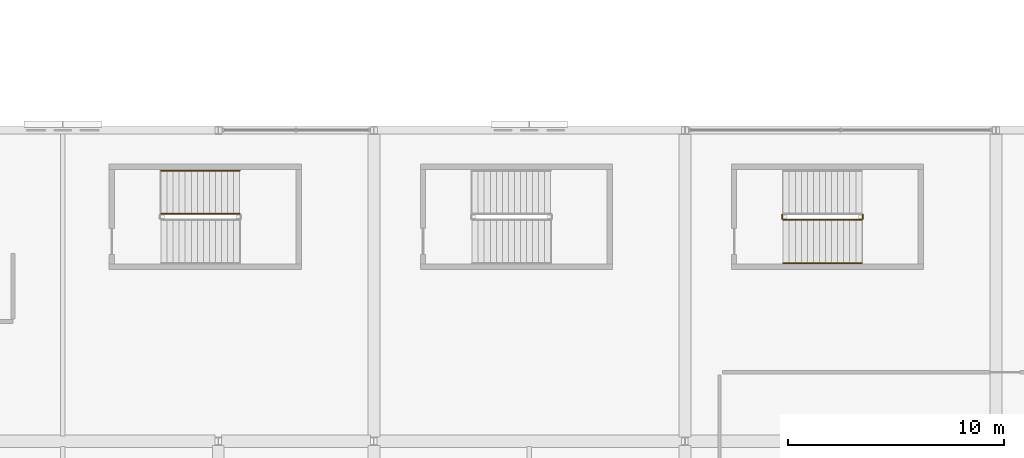
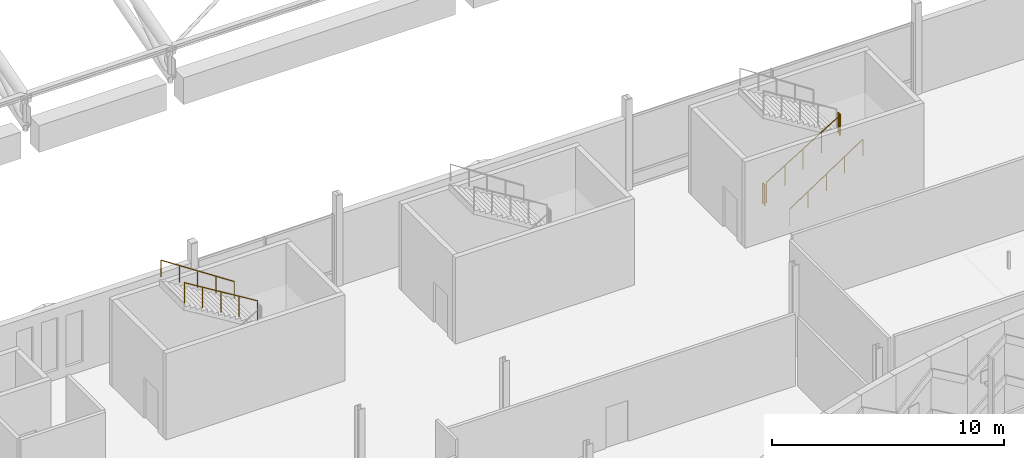
# One storey, part 178 of 193: 6 railings.
"""IFC4 building model written with IfcOpenShell, lengths in metres."""

from ifc_helpers import new_model, si_unit, direction, frame, origin, origin_2d, place, context, subcontext, project, spatial, circle, extrude, material, type_object, element, save


model = new_model("IFC4")

# Units and contexts
model_context = context("Model", 3, precision=1e-05, world=origin(), true_north=direction((0.0, 1.0)))
body_context = subcontext(model_context, "Body", "Model", "MODEL_VIEW")
ifc_project = project(units=[si_unit("LENGTHUNIT", "METRE"), si_unit("AREAUNIT", "SQUARE_METRE"), si_unit("VOLUMEUNIT", "CUBIC_METRE"), si_unit("PLANEANGLEUNIT", "RADIAN"), si_unit("MASSUNIT", "GRAM", prefix="KILO")], contexts=[model_context])

# Site, building, storey
site_placement = place(None, origin())
site = spatial("IfcSite", under=ifc_project, at=site_placement, CompositionType="ELEMENT")
building_placement = place(site_placement, origin())
building = spatial("IfcBuilding", under=site, at=building_placement, Name="Cendralis Lancet Convention Centre", CompositionType="ELEMENT")
storey_placement = place(building_placement, frame((0.0, 0.0, 10.199951171875)))
storey = spatial("IfcBuildingStorey", under=building, at=storey_placement, Name="L02", CompositionType="ELEMENT", Elevation=10.199951171875)

# Railings
ifc_material = material(Name="Steel S355", Category="steel")
railing_type_1 = type_object("IfcRailingType", Name="ARC-RL-CGD", PredefinedType="GUARDRAIL", material=ifc_material)
railing_1_placement = place(storey_placement, frame((72.989990234375, 32.1298828125, 2.571533203125)))
element("IfcRailing", 1, at=railing_1_placement, inside=storey, type_object=railing_type_1, Name="L02 ST-12 stair guard 3", PredefinedType="GUARDRAIL", context=body_context, shape_type="SweptSolid", body=[
    extrude(circle(Radius=0.02392578125, at=origin_2d()), frame((0.0, 0.0, 1.076171875), z_axis=(-0.852850264322, 0.0, 0.5221555579), x_axis=(0.0, -1.0, 0.0)), (0.0, 0.0, 1.0), 4.267822265625),
    extrude(circle(Radius=0.02099609375, at=origin_2d()), origin(), (0.0, 0.0, 1.0), 1.052001953125),
    extrude(circle(Radius=0.02099609375, at=origin_2d()), frame((-0.909912109375, 0.0, 0.55712890625)), (0.0, 0.0, 1.0), 1.052001953125),
    extrude(circle(Radius=0.02099609375, at=origin_2d()), frame((-1.81982421875, 0.0, 1.1142578125)), (0.0, 0.0, 1.0), 1.052001953125),
    extrude(circle(Radius=0.02099609375, at=origin_2d()), frame((-2.72998046875, 0.0, 1.67138671875)), (0.0, 0.0, 1.0), 1.052001953125),
    extrude(circle(Radius=0.02099609375, at=origin_2d()), frame((-3.639892578125, 0.0, 2.228515625)), (0.0, 0.0, 1.0), 1.052001953125),
])
railing_2_placement = place(storey_placement, frame((98.14990234375, 31.85009765625, 0.17138671875)))
element("IfcRailing", 2, at=railing_2_placement, inside=storey, type_object=railing_type_1, Name="L02 ST-18 stair guard 1", PredefinedType="GUARDRAIL", context=body_context, shape_type="SweptSolid", body=[
    extrude(circle(Radius=0.02392578125, at=origin_2d()), frame((0.0, 0.0, 1.076171875), z_axis=(0.852840387347, 0.0, 0.522171689878), x_axis=(0.0, 1.0, 0.0)), (0.0, 0.0, 1.0), 4.268310546875),
    extrude(circle(Radius=0.02099609375, at=origin_2d()), origin(), (0.0, 0.0, 1.0), 1.052001953125),
    extrude(circle(Radius=0.02099609375, at=origin_2d()), frame((0.91015625, 0.0, 0.55712890625)), (0.0, 0.0, 1.0), 1.052001953125),
    extrude(circle(Radius=0.02099609375, at=origin_2d()), frame((1.820068359375, 0.0, 1.1142578125)), (0.0, 0.0, 1.0), 1.052001953125),
    extrude(circle(Radius=0.02099609375, at=origin_2d()), frame((2.72998046875, 0.0, 1.671630859375)), (0.0, 0.0, 1.0), 1.052001953125),
    extrude(circle(Radius=0.02099609375, at=origin_2d()), frame((3.64013671875, 0.0, 2.228759765625)), (0.0, 0.0, 1.0), 1.052001953125),
])
for number, where, name in (
    (3, (101.840087890625, 31.89990234375, 2.400146484375), "L02 ST-18 stair guard 2"),
    (4, (98.10009765625, 31.89990234375, 0.0), "L02 ST-18 stair guard 4"),
):
    element("IfcRailing", number, at=place(storey_placement, frame(where)), inside=storey, type_object=railing_type_1, Name=name, PredefinedType="GUARDRAIL", context=body_context, shape_type="SweptSolid", body=[
        extrude(circle(Radius=0.02392578125, at=origin_2d()), frame((0.0, 0.0, 1.076171875), z_axis=(0.0, 1.0, 0.0), x_axis=(-1.0, 0.0, 0.0)), (0.0, 0.0, 1.0), 0.18017578125),
        extrude(circle(Radius=0.02099609375, at=origin_2d()), origin(), (0.0, 0.0, 1.0), 1.052001953125),
        extrude(circle(Radius=0.02099609375, at=origin_2d()), frame((0.0, 0.18017578125, 0.0)), (0.0, 0.0, 1.0), 1.052001953125),
    ])
railing_type_2 = type_object("IfcRailingType", Name="ARC-RL-CHR", PredefinedType="HANDRAIL", material=ifc_material)
railing_3_placement = place(storey_placement, frame((72.989990234375, 34.1298828125, 2.571533203125)))
element("IfcRailing", 5, at=railing_3_placement, inside=storey, type_object=railing_type_2, Name="L02 ST-12 stair handrail 2", PredefinedType="HANDRAIL", context=body_context, shape_type="SweptSolid", body=[
    extrude(circle(Radius=0.02392578125, at=origin_2d()), frame((0.0, 0.0, 0.8759765625), z_axis=(-0.834865213223, 0.0, 0.550454426587), x_axis=(0.0, -1.0, 0.0)), (0.0, 0.0, 1.0), 4.35986328125),
    extrude(circle(Radius=0.02099609375, at=origin_2d()), origin(), (0.0, 0.0, 1.0), 0.851806640625),
    extrude(circle(Radius=0.02099609375, at=origin_2d()), frame((-0.909912109375, 0.0, 0.60009765625)), (0.0, 0.0, 1.0), 0.851806640625),
    extrude(circle(Radius=0.02099609375, at=origin_2d()), frame((-1.81982421875, 0.0, 1.199951171875)), (0.0, 0.0, 1.0), 0.851806640625),
    extrude(circle(Radius=0.02099609375, at=origin_2d()), frame((-2.72998046875, 0.0, 1.7998046875)), (0.0, 0.0, 1.0), 0.851806640625),
    extrude(circle(Radius=0.02099609375, at=origin_2d()), frame((-3.639892578125, 0.0, 2.39990234375)), (0.0, 0.0, 1.0), 0.851806640625),
])
railing_4_placement = place(storey_placement, frame((98.14990234375, 29.85009765625, 0.17138671875)))
element("IfcRailing", 6, at=railing_4_placement, inside=storey, type_object=railing_type_2, Name="L02 ST-18 stair handrail 1", PredefinedType="HANDRAIL", context=body_context, shape_type="SweptSolid", body=[
    extrude(circle(Radius=0.02392578125, at=origin_2d()), frame((0.0, 0.0, 0.8759765625), z_axis=(0.834856447115, 0.0, 0.55046772177), x_axis=(0.0, 1.0, 0.0)), (0.0, 0.0, 1.0), 4.360107421875),
    extrude(circle(Radius=0.02099609375, at=origin_2d()), origin(), (0.0, 0.0, 1.0), 0.851806640625),
    extrude(circle(Radius=0.02099609375, at=origin_2d()), frame((0.91015625, 0.0, 0.60009765625)), (0.0, 0.0, 1.0), 0.851806640625),
    extrude(circle(Radius=0.02099609375, at=origin_2d()), frame((1.820068359375, 0.0, 1.2001953125)), (0.0, 0.0, 1.0), 0.851806640625),
    extrude(circle(Radius=0.02099609375, at=origin_2d()), frame((2.72998046875, 0.0, 1.800048828125)), (0.0, 0.0, 1.0), 0.851806640625),
    extrude(circle(Radius=0.02099609375, at=origin_2d()), frame((3.64013671875, 0.0, 2.400146484375)), (0.0, 0.0, 1.0), 0.851806640625),
])

save(model, "model.ifc")
